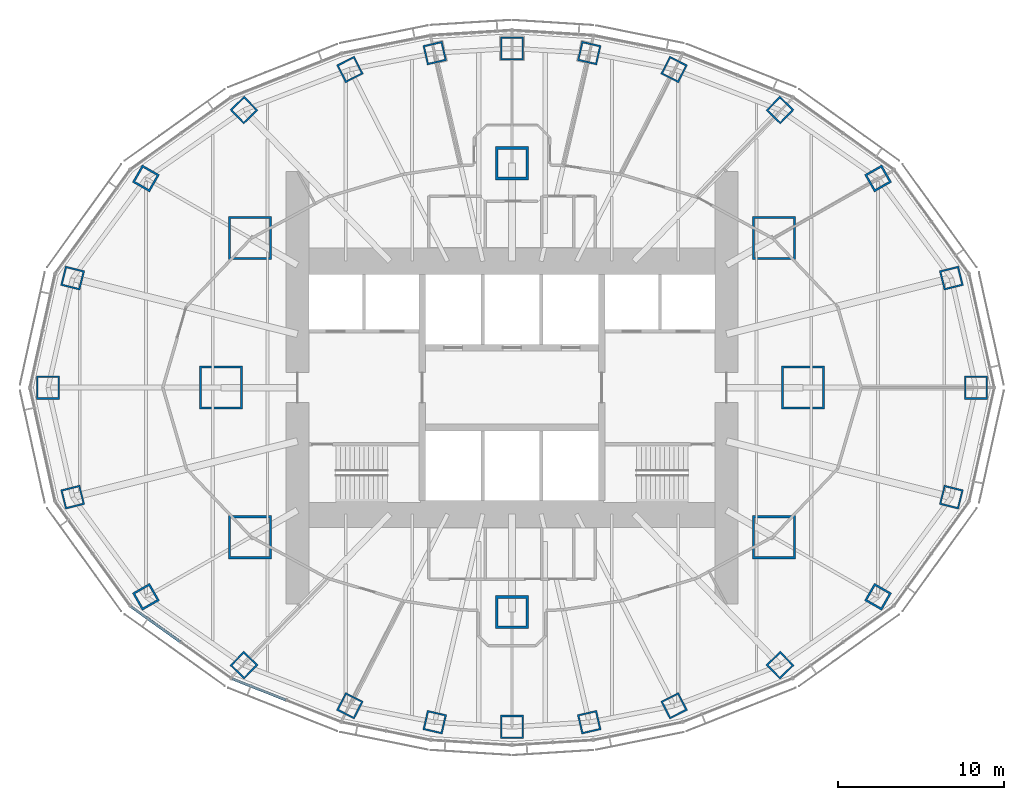
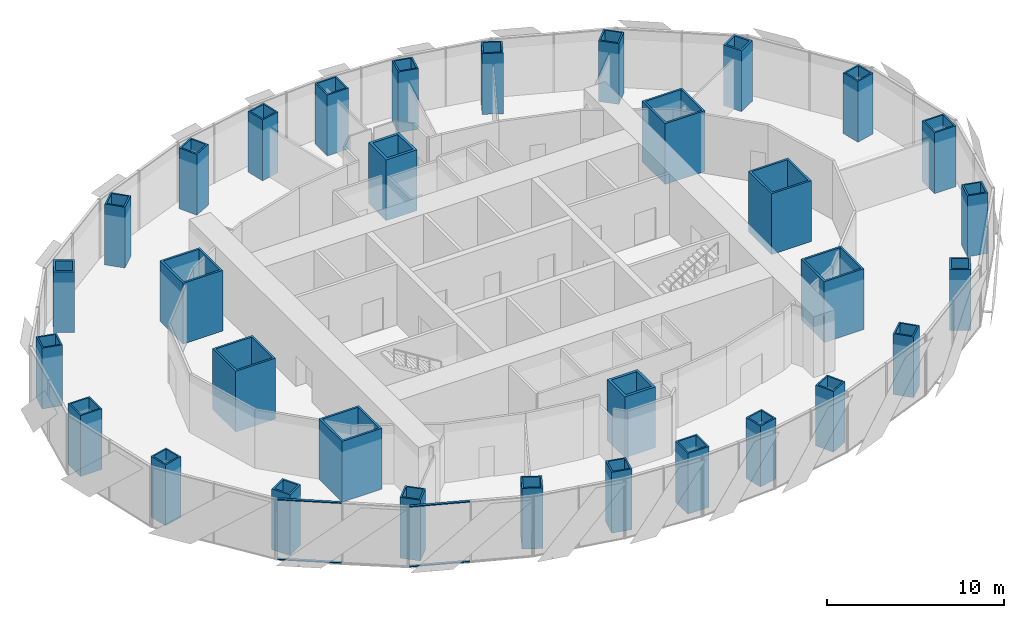
# One storey, part 1 of 18: 32 columns, 4 members, 2 elements without a shape of their own.
"""IFC4 building model written with IfcOpenShell, lengths in metres."""

import ifcopenshell
import ifcopenshell.guid

model = None  # the IFC model being written
_history = None  # IfcOwnerHistory: only IFC2X3 demands one
_inside = {}  # id of a spatial element -> (the spatial element, [elements in it])
_under = {}  # id of a project, library or spatial element -> (it, [spatial elements below it])
_declared = {}  # id of a project -> (the project, [libraries it declares])
_typed = {}  # id of a type object -> (the type object, [elements of that type])
_made_of = {}  # id of a material, layer set ... -> (it, [elements and type objects made of it])


def new_model(schema):
    """Start an empty IFC model of exactly this schema.

    Asked for "IFC4X3", IfcOpenShell would pick the latest addendum, in which some entities
    have other attributes; the version numbers below select the first issue.
    IFC2X3 requires an IfcOwnerHistory on every rooted entity: one is made here for all.
    """
    global model, _history
    if schema == "IFC4X3":
        model = ifcopenshell.file(schema_version=(4, 3, 0, 0))
    else:
        model = ifcopenshell.file(schema=schema)
    _inside.clear()
    _under.clear()
    _declared.clear()
    _typed.clear()
    _made_of.clear()
    _history = None
    if model.schema == "IFC2X3":
        org = make("IfcOrganization", Name="unknown")
        user = make(
            "IfcPersonAndOrganization",
            ThePerson=make("IfcPerson", FamilyName="unknown"),
            TheOrganization=org,
        )
        app = make(
            "IfcApplication",
            ApplicationDeveloper=org,
            Version="unknown",
            ApplicationFullName="unknown",
            ApplicationIdentifier="unknown",
        )
        _history = make(
            "IfcOwnerHistory",
            OwningUser=user,
            OwningApplication=app,
            ChangeAction="ADDED",
            CreationDate=0,
        )
    return model


def make(cls, **values):
    """One entity of the class cls with the attributes given. An attribute that is None is left unset."""
    return model.create_entity(
        cls, **{name: value for name, value in values.items() if value is not None}
    )


def rooted(cls, **values):
    """An entity with a GlobalId (a new one), such as an element, a storey or a relation."""
    return make(cls, GlobalId=ifcopenshell.guid.new(), OwnerHistory=_history, **values)


def si_unit(unit_type, name, prefix=None):
    """IfcSIUnit, for example si_unit("LENGTHUNIT", "METRE", prefix="MILLI")."""
    return make("IfcSIUnit", UnitType=unit_type, Prefix=prefix, Name=name)


def assignment(units):
    """IfcUnitAssignment: the units of a project."""
    return None if units is None else make("IfcUnitAssignment", Units=units)


def point(xyz):
    """IfcCartesianPoint."""
    return None if xyz is None else make("IfcCartesianPoint", Coordinates=xyz)


def direction(xyz):
    """IfcDirection."""
    return None if xyz is None else make("IfcDirection", DirectionRatios=xyz)


def frame(location, z_axis=None, x_axis=None):
    """IfcAxis2Placement3D, a coordinate frame: its origin and axes. An axis left out is left unset."""
    return make(
        "IfcAxis2Placement3D",
        Location=point(location),
        Axis=direction(z_axis),
        RefDirection=direction(x_axis),
    )


def frame_2d(location, x_axis=None):
    """IfcAxis2Placement2D, a coordinate frame in the plane: its origin and x axis."""
    return make(
        "IfcAxis2Placement2D", Location=point(location), RefDirection=direction(x_axis)
    )


def origin():
    """The frame at (0, 0, 0) with its axes left unset."""
    return frame((0.0, 0.0, 0.0))


def origin_2d():
    """The frame at (0, 0) in the plane with its x axis left unset."""
    return frame_2d((0.0, 0.0))


def place(relative_to, where):
    """IfcLocalPlacement: puts the frame where relative to a parent placement (None: the world)."""
    return make(
        "IfcLocalPlacement", PlacementRelTo=relative_to, RelativePlacement=where
    )


def context(
    kind, dimensions, precision=None, world=None, true_north=None, identifier=None
):
    """IfcGeometricRepresentationContext, for example the 3D "Model" context."""
    return make(
        "IfcGeometricRepresentationContext",
        ContextIdentifier=identifier,
        ContextType=kind,
        CoordinateSpaceDimension=dimensions,
        Precision=precision,
        WorldCoordinateSystem=world,
        TrueNorth=true_north,
    )


def subcontext(parent, identifier, kind, view, scale=None):
    """IfcGeometricRepresentationSubContext, for example "Body" below "Model"."""
    return make(
        "IfcGeometricRepresentationSubContext",
        ContextIdentifier=identifier,
        ContextType=kind,
        ParentContext=parent,
        TargetScale=scale,
        TargetView=view,
    )


def project(units=None, contexts=None):
    """IfcProject with its units and contexts."""
    return rooted(
        "IfcProject",
        Name="project",
        RepresentationContexts=contexts,
        UnitsInContext=assignment(units),
    )


def spatial(cls, under=None, at=None, **own):
    """A site, building, storey or space (cls), placed at a placement, below another one or the project."""
    s = rooted(cls, ObjectPlacement=at, **own)
    if under is not None:
        _under.setdefault(under.id(), (under, []))[1].append(s)
    return s


def profile(cls, at=None, kind="AREA", **sizes):
    """A parametric profile (cls). Its sizes go by their IFC names, for example OverallWidth=200.0."""
    return make(cls, ProfileType=kind, Position=at, **sizes)


def rectangle(**sizes):
    """IfcRectangleProfileDef."""
    return profile("IfcRectangleProfileDef", **sizes)


def hollow_rectangle(**sizes):
    """IfcRectangleHollowProfileDef."""
    return profile("IfcRectangleHollowProfileDef", **sizes)


def extrude(swept, where, along, depth):
    """IfcExtrudedAreaSolid: the profile swept, set in the frame where, extruded along a direction by depth."""
    return make(
        "IfcExtrudedAreaSolid",
        SweptArea=swept,
        Position=where,
        ExtrudedDirection=direction(along),
        Depth=depth,
    )


def shape(context_of_items, identifier, shape_type, items):
    """IfcShapeRepresentation: the items that make up one representation, for example the "Body"."""
    return make(
        "IfcShapeRepresentation",
        ContextOfItems=context_of_items,
        RepresentationIdentifier=identifier,
        RepresentationType=shape_type,
        Items=items,
    )


def material(Name=None, Category=None):
    """IfcMaterial."""
    return make("IfcMaterial", Name=Name, Category=Category)


def material_profile(
    of_material, cross_section, Name=None, Category=None, Priority=None
):
    """IfcMaterialProfile: a cross section and its material."""
    return make(
        "IfcMaterialProfile",
        Name=Name,
        Material=of_material,
        Profile=cross_section,
        Priority=Priority,
        Category=Category,
    )


def profile_set(profiles, Name=None, composite=None):
    """IfcMaterialProfileSet."""
    return make(
        "IfcMaterialProfileSet",
        Name=Name,
        MaterialProfiles=profiles,
        CompositeProfile=composite,
    )


def made_of(thing, what):
    """Note that an element or type object is made of a material, layer set ...; save() writes the relation."""
    if what is not None:
        _made_of.setdefault(what.id(), (what, []))[1].append(thing)
    return thing


def type_object(cls, material=None, **own):
    """A type object (cls), such as IfcWallType, which elements share."""
    return made_of(rooted(cls, **own), material)


def element(
    cls,
    number,
    at=None,
    inside=None,
    cuts=None,
    type_object=None,
    material=None,
    context=None,
    identifier="Body",
    shape_type=None,
    held_by="IfcProductDefinitionShape",
    body=None,
    shapes=None,
    **own,
):
    """One element of the class cls, such as IfcWall. Its Tag is "e" and its number.

    at: its placement. inside: the storey or other place that contains it. cuts: it is an
    opening in that element (IfcRelVoidsElement). A single representation is given by context,
    identifier, shape_type and body (its items); several are given by shapes. held_by: the class
    of the entity that holds the representations. save() writes the other relations.
    """
    e = rooted(cls, Tag="e%d" % number, ObjectPlacement=at, **own)
    if body is not None:
        shapes = [shape(context, identifier, shape_type, body)]
    if shapes is not None:
        e.Representation = make(held_by, Representations=shapes)
    if inside is not None:
        _inside.setdefault(inside.id(), (inside, []))[1].append(e)
    if cuts is not None:
        rooted(
            "IfcRelVoidsElement", RelatingBuildingElement=cuts, RelatedOpeningElement=e
        )
    if type_object is not None:
        _typed.setdefault(type_object.id(), (type_object, []))[1].append(e)
    return made_of(e, material)


def aggregate(whole, parts):
    """IfcRelAggregates: a whole, such as a stair, and the parts it consists of."""
    return rooted("IfcRelAggregates", RelatingObject=whole, RelatedObjects=parts)


def save(model, path):
    """Write the relations noted so far, then the file.

    IfcRelAggregates (storeys below a building ...), IfcRelContainedInSpatialStructure (elements
    in a storey), IfcRelDefinesByType, IfcRelAssociatesMaterial and IfcRelDeclares: one each for
    every whole, place, type object, material and project.
    """
    for whole, parts in _under.values():
        aggregate(whole, parts)
    for where, things in _inside.values():
        rooted(
            "IfcRelContainedInSpatialStructure",
            RelatedElements=things,
            RelatingStructure=where,
        )
    for kind, things in _typed.values():
        rooted("IfcRelDefinesByType", RelatedObjects=things, RelatingType=kind)
    for what, things in _made_of.values():
        rooted("IfcRelAssociatesMaterial", RelatedObjects=things, RelatingMaterial=what)
    for by, libraries in _declared.values():
        rooted("IfcRelDeclares", RelatingContext=by, RelatedDefinitions=libraries)
    model.write(path)


model = new_model("IFC4")

# Units and contexts
model_context = context("Model", 3, precision=1e-05, world=origin(), true_north=direction((0.0, 1.0)))
body_context = subcontext(model_context, "Body", "Model", "MODEL_VIEW")
ifc_project = project(units=[si_unit("LENGTHUNIT", "METRE"), si_unit("AREAUNIT", "SQUARE_METRE"), si_unit("VOLUMEUNIT", "CUBIC_METRE"), si_unit("PLANEANGLEUNIT", "RADIAN"), si_unit("MASSUNIT", "GRAM", prefix="KILO")], contexts=[model_context])

# Site, building, storey
site_placement = place(None, origin())
site = spatial("IfcSite", under=ifc_project, at=site_placement, CompositionType="ELEMENT")
building_placement = place(site_placement, origin())
building = spatial("IfcBuilding", under=site, at=building_placement, Name="Lantaw Convention Tower", CompositionType="ELEMENT")
storey_placement = place(building_placement, frame((0.0, 0.0, 184.60009765625)))
storey = spatial("IfcBuildingStorey", under=building, at=storey_placement, Name="L43", CompositionType="ELEMENT", Elevation=184.60009765625)

# Columns
ifc_material_1 = material(Name="Steel EN 10025-3 S460N", Category="steel")
ifc_material_profile_1 = material_profile(ifc_material_1, hollow_rectangle(XDim=2.0, YDim=2.0, WallThickness=0.169921875, at=origin_2d()), Name="BOX2000X170")
ifc_material_2 = material(Name="Concrete C60/75", Category="concrete")
ifc_material_profile_2 = material_profile(ifc_material_2, rectangle(XDim=1.659912109375, YDim=1.659912109375, at=origin_2d()), Name="Concrete fill of BOX2000X170")
ifc_profile_set_1 = profile_set([ifc_material_profile_1, ifc_material_profile_2], Name="Steel EN 10025-3 S460N")
column_type_1 = type_object("IfcColumnType", Name="Column MC BOX2000X170", PredefinedType="COLUMN", material=ifc_profile_set_1)
for number, where, z_axis, x_axis, name in (
    (1, (0.0, 13.5, 0.0), (0.0, 0.0, 1.0), (1.0, 0.0, 0.0), "Mega column M3"),
    (2, (0.0, -13.5, 0.0), (0.0, 0.0, 1.0), (1.0, 0.0, 0.0), "Mega column M7"),
):
    element("IfcColumn", number, at=place(storey_placement, frame(where, z_axis=z_axis, x_axis=x_axis)), inside=storey, type_object=column_type_1, Name=name, PredefinedType="COLUMN", context=body_context, shape_type="SweptSolid", body=[
        extrude(hollow_rectangle(XDim=2.0, YDim=2.0, WallThickness=0.169921875, at=origin_2d()), origin(), (0.0, 0.0, 1.0), 4.199951171875),
    ])
ifc_material_profile_3 = material_profile(ifc_material_1, hollow_rectangle(XDim=2.60009765625, YDim=2.60009765625, WallThickness=0.1298828125, at=origin_2d()), Name="BOX2600X130")
ifc_material_profile_4 = material_profile(ifc_material_2, rectangle(XDim=2.340087890625, YDim=2.340087890625, at=origin_2d()), Name="Concrete fill of BOX2600X130")
ifc_profile_set_2 = profile_set([ifc_material_profile_3, ifc_material_profile_4], Name="Steel EN 10025-3 S460N")
column_type_2 = type_object("IfcColumnType", Name="Column MC BOX2600X130", PredefinedType="COLUMN", material=ifc_profile_set_2)
for number, where, z_axis, x_axis, name in (
    (3, (17.5, 0.0, 0.0), (0.0, 0.0, 1.0), (1.0, 0.0, 0.0), "Mega column M1"),
    (4, (15.75, 9.0, 0.0), (0.0, 0.0, 1.0), (1.0, 0.0, 0.0), "Mega column M2"),
    (5, (-15.75, 9.0, 0.0), (0.0, 0.0, 1.0), (1.0, 0.0, 0.0), "Mega column M4"),
    (6, (-17.5, 0.0, 0.0), (0.0, 0.0, 1.0), (1.0, 0.0, 0.0), "Mega column M5"),
    (7, (-15.75, -9.0, 0.0), (0.0, 0.0, 1.0), (1.0, 0.0, 0.0), "Mega column M6"),
    (8, (15.75, -9.0, 0.0), (0.0, 0.0, 1.0), (1.0, 0.0, 0.0), "Mega column M8"),
):
    element("IfcColumn", number, at=place(storey_placement, frame(where, z_axis=z_axis, x_axis=x_axis)), inside=storey, type_object=column_type_2, Name=name, PredefinedType="COLUMN", context=body_context, shape_type="SweptSolid", body=[
        extrude(hollow_rectangle(XDim=2.60009765625, YDim=2.60009765625, WallThickness=0.1298828125, at=origin_2d()), origin(), (0.0, 0.0, 1.0), 4.199951171875),
    ])
ifc_material_profile_5 = material_profile(ifc_material_1, hollow_rectangle(XDim=1.199951171875, YDim=1.199951171875, WallThickness=0.10009765625, at=origin_2d()), Name="BOX1200X100")
ifc_material_profile_6 = material_profile(ifc_material_2, rectangle(XDim=1.0, YDim=1.0, at=origin_2d()), Name="Concrete fill of BOX1200X100")
ifc_profile_set_3 = profile_set([ifc_material_profile_5, ifc_material_profile_6], Name="Steel EN 10025-3 S460N")
column_type_3 = type_object("IfcColumnType", Name="Column PC BOX1200X100", PredefinedType="COLUMN", material=ifc_profile_set_3)
for number, where, z_axis, x_axis, name in (
    (9, (26.419921875, 6.587158203125, 0.0), (0.0, 0.0, 1.0), (0.970295726276, 0.2419218956, 0.0), "Perimeter column P2"),
    (10, (16.11767578125, 16.690185546875, 0.0), (0.0, 0.0, 1.0), (0.694658370459, 0.719339800339, 0.0), "Perimeter column P4"),
    (11, (9.74853515625, 19.1328125, 0.0), (0.0, 0.0, 1.0), (0.45399049974, 0.891006524188, 0.0), "Perimeter column P5"),
    (12, (4.64501953125, 20.1201171875, 0.0), (0.0, 0.0, 1.0), (0.224951054344, 0.974370064785, 0.0), "Perimeter column P6"),
    (13, (-4.64501953125, 20.1201171875, 0.0), (0.0, 0.0, 1.0), (0.974370064785, 0.224951054344, 0.0), "Perimeter column P8"),
    (14, (-9.74853515625, 19.1328125, 0.0), (0.0, 0.0, 1.0), (0.891006524188, 0.45399049974, 0.0), "Perimeter column P9"),
    (15, (-16.11767578125, 16.690185546875, 0.0), (0.0, 0.0, 1.0), (0.719339800339, 0.694658370459, 0.0), "Perimeter column P10"),
    (16, (-26.419921875, 6.587158203125, 0.0), (0.0, 0.0, 1.0), (0.2419218956, 0.970295726276, 0.0), "Perimeter column P12"),
    (17, (-26.419921875, -6.587158203125, 0.0), (0.0, 0.0, 1.0), (0.970295726276, 0.2419218956, 0.0), "Perimeter column P14"),
    (18, (-16.11767578125, -16.690185546875, 0.0), (0.0, 0.0, 1.0), (0.694658370459, 0.719339800339, 0.0), "Perimeter column P16"),
    (19, (-9.74853515625, -19.1328125, 0.0), (0.0, 0.0, 1.0), (0.45399049974, 0.891006524188, 0.0), "Perimeter column P17"),
    (20, (-4.64501953125, -20.1201171875, 0.0), (0.0, 0.0, 1.0), (0.224951054344, 0.974370064785, 0.0), "Perimeter column P18"),
    (21, (4.64501953125, -20.1201171875, 0.0), (0.0, 0.0, 1.0), (0.974370064785, 0.224951054344, 0.0), "Perimeter column P20"),
    (22, (9.74853515625, -19.1328125, 0.0), (0.0, 0.0, 1.0), (0.891006524188, 0.45399049974, 0.0), "Perimeter column P21"),
    (23, (16.11767578125, -16.690185546875, 0.0), (0.0, 0.0, 1.0), (0.719339800339, 0.694658370459, 0.0), "Perimeter column P22"),
    (24, (26.419921875, -6.587158203125, 0.0), (0.0, 0.0, 1.0), (0.2419218956, 0.970295726276, 0.0), "Perimeter column P24"),
):
    element("IfcColumn", number, at=place(storey_placement, frame(where, z_axis=z_axis, x_axis=x_axis)), inside=storey, type_object=column_type_3, Name=name, PredefinedType="COLUMN", context=body_context, shape_type="SweptSolid", body=[
        extrude(hollow_rectangle(XDim=1.199951171875, YDim=1.199951171875, WallThickness=0.10009765625, at=origin_2d()), origin(), (0.0, 0.0, 1.0), 4.199951171875),
    ])
ifc_material_profile_7 = material_profile(ifc_material_1, hollow_rectangle(XDim=1.199951171875, YDim=1.199951171875, WallThickness=0.1201171875, at=origin_2d()), Name="BOX1200X120")
ifc_material_profile_8 = material_profile(ifc_material_2, rectangle(XDim=0.9599609375, YDim=0.9599609375, at=origin_2d()), Name="Concrete fill of BOX1200X120")
ifc_profile_set_4 = profile_set([ifc_material_profile_7, ifc_material_profile_8], Name="Steel EN 10025-3 S460N")
column_type_4 = type_object("IfcColumnType", Name="Column PC BOX1200X120", PredefinedType="COLUMN", material=ifc_profile_set_4)
for number, where, z_axis, x_axis, name in (
    (25, (22.013916015625, 12.579345703125, 0.0), (0.0, 0.0, 1.0), (0.86824298017, 0.496139221777, 0.0), "Perimeter column P3"),
    (26, (-22.013916015625, 12.579345703125, 0.0), (0.0, 0.0, 1.0), (0.496139221777, 0.86824298017, 0.0), "Perimeter column P11"),
    (27, (-22.013916015625, -12.579345703125, 0.0), (0.0, 0.0, 1.0), (0.86824298017, 0.496139221777, 0.0), "Perimeter column P15"),
    (28, (22.013916015625, -12.579345703125, 0.0), (0.0, 0.0, 1.0), (0.496139221777, 0.86824298017, 0.0), "Perimeter column P23"),
):
    element("IfcColumn", number, at=place(storey_placement, frame(where, z_axis=z_axis, x_axis=x_axis)), inside=storey, type_object=column_type_4, Name=name, PredefinedType="COLUMN", context=body_context, shape_type="SweptSolid", body=[
        extrude(hollow_rectangle(XDim=1.199951171875, YDim=1.199951171875, WallThickness=0.1201171875, at=origin_2d()), origin(), (0.0, 0.0, 1.0), 4.199951171875),
    ])
ifc_material_profile_9 = material_profile(ifc_material_1, hollow_rectangle(XDim=1.39990234375, YDim=1.39990234375, WallThickness=0.10009765625, at=origin_2d()), Name="BOX1400X100")
ifc_material_profile_10 = material_profile(ifc_material_2, rectangle(XDim=1.199951171875, YDim=1.199951171875, at=origin_2d()), Name="Concrete fill of BOX1400X100")
ifc_profile_set_5 = profile_set([ifc_material_profile_9, ifc_material_profile_10], Name="Steel EN 10025-3 S460N")
column_type_5 = type_object("IfcColumnType", Name="Column PC BOX1400X100", PredefinedType="COLUMN", material=ifc_profile_set_5)
for number, where, z_axis, x_axis, name in (
    (29, (27.89990234375, 0.0, 0.0), (0.0, 0.0, 1.0), (1.0, 0.0, 0.0), "Perimeter column P1"),
    (30, (0.0, 20.39990234375, 0.0), (0.0, 0.0, 1.0), (1.0, 0.0, 0.0), "Perimeter column P7"),
    (31, (-27.89990234375, 0.0, 0.0), (0.0, 0.0, 1.0), (1.0, 0.0, 0.0), "Perimeter column P13"),
    (32, (0.0, -20.39990234375, 0.0), (0.0, 0.0, 1.0), (1.0, 0.0, 0.0), "Perimeter column P19"),
):
    element("IfcColumn", number, at=place(storey_placement, frame(where, z_axis=z_axis, x_axis=x_axis)), inside=storey, type_object=column_type_5, Name=name, PredefinedType="COLUMN", context=body_context, shape_type="SweptSolid", body=[
        extrude(hollow_rectangle(XDim=1.39990234375, YDim=1.39990234375, WallThickness=0.10009765625, at=origin_2d()), origin(), (0.0, 0.0, 1.0), 4.199951171875),
    ])

# Curtain wall, members
ifc_material_3 = material(Name="Aluminium framed curtain wall", Category="aluminium")
curtain_wall_type = type_object("IfcCurtainWallType", Name="Office curtain wall low rise, pale aluminium", PredefinedType="USERDEFINED", material=ifc_material_3)
curtain_wall_1_placement = place(storey_placement, origin())
curtain_wall_1 = element("IfcCurtainWall", 33, at=curtain_wall_1_placement, inside=storey, type_object=curtain_wall_type, Name="Office curtain wall low rise, pale aluminium L43", ObjectType="UNITISED CURTAIN WALL", PredefinedType="USERDEFINED")
ifc_material_4 = material(Name="Aluminium 6063-T6", Category="aluminium")
ifc_material_profile_11 = material_profile(ifc_material_4, rectangle(XDim=0.159912109375, YDim=0.06494140625, at=origin_2d()), Name="CW-O1 transom 65x160")
ifc_profile_set_6 = profile_set([ifc_material_profile_11], Name="Aluminium 6063-T6")
member_type = type_object("IfcMemberType", Name="CW-O1 transom 65x160", PredefinedType="USERDEFINED", material=ifc_profile_set_6)
member_1_placement = place(storey_placement, frame((-22.916259765625, -13.1630859375, -0.11767578125), z_axis=(0.813221785972, -0.581953887194, 0.0), x_axis=(0.581953887194, 0.813221785972, 0.0)))
member_1 = element("IfcMember", 34, at=member_1_placement, type_object=member_type, Name="CW-O1 transom 1.1", ObjectType="TRANSOM", PredefinedType="USERDEFINED", context=body_context, shape_type="SweptSolid", body=[
    extrude(rectangle(XDim=0.159912109375, YDim=0.06494140625, at=origin_2d()), origin(), (0.0, 0.0, 1.0), 3.645263671875),
])
member_2_placement = place(storey_placement, frame((-22.916259765625, -13.1630859375, 4.017333984375), z_axis=(0.813221785972, -0.581953887194, 0.0), x_axis=(0.581953887194, 0.813221785972, 0.0)))
member_2 = element("IfcMember", 35, at=member_2_placement, type_object=member_type, Name="CW-O1 transom 1.2", ObjectType="TRANSOM", PredefinedType="USERDEFINED", context=body_context, shape_type="SweptSolid", body=[
    extrude(rectangle(XDim=0.159912109375, YDim=0.06494140625, at=origin_2d()), origin(), (0.0, 0.0, 1.0), 3.645263671875),
])
aggregate(curtain_wall_1, [member_1, member_2])

curtain_wall_2_placement = place(storey_placement, origin())
curtain_wall_2 = element("IfcCurtainWall", 36, at=curtain_wall_2_placement, inside=storey, type_object=curtain_wall_type, Name="Office curtain wall low rise, pale aluminium L43", ObjectType="UNITISED CURTAIN WALL", PredefinedType="USERDEFINED")
member_3_placement = place(storey_placement, frame((-16.8212890625, -17.505615234375, -0.11767578125), z_axis=(0.929564188507, -0.368660303592, 0.0), x_axis=(0.368660303592, 0.929564188507, 0.0)))
member_3 = element("IfcMember", 37, at=member_3_placement, type_object=member_type, Name="CW-O1 transom 1.1", ObjectType="TRANSOM", PredefinedType="USERDEFINED", context=body_context, shape_type="SweptSolid", body=[
    extrude(rectangle(XDim=0.159912109375, YDim=0.06494140625, at=origin_2d()), origin(), (0.0, 0.0, 1.0), 3.470703125),
])
member_4_placement = place(storey_placement, frame((-16.8212890625, -17.505615234375, 4.017333984375), z_axis=(0.929564188507, -0.368660303592, 0.0), x_axis=(0.368660303592, 0.929564188507, 0.0)))
member_4 = element("IfcMember", 38, at=member_4_placement, type_object=member_type, Name="CW-O1 transom 1.2", ObjectType="TRANSOM", PredefinedType="USERDEFINED", context=body_context, shape_type="SweptSolid", body=[
    extrude(rectangle(XDim=0.159912109375, YDim=0.06494140625, at=origin_2d()), origin(), (0.0, 0.0, 1.0), 3.470703125),
])
aggregate(curtain_wall_2, [member_3, member_4])

save(model, "model.ifc")
